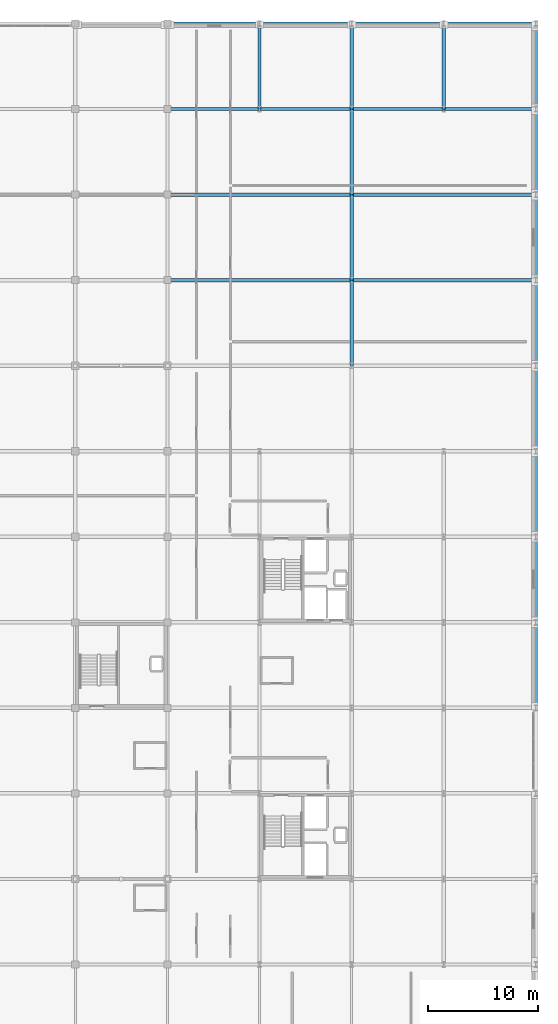
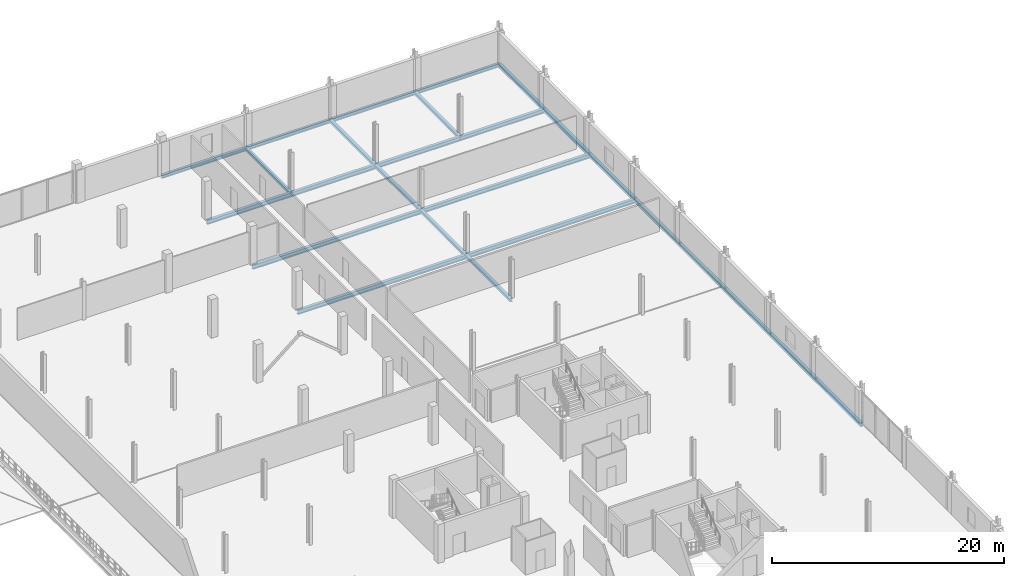
# One storey, part 45 of 77: 26 beams.
"""IFC4 building model written with IfcOpenShell, lengths in metres."""

from ifc_helpers import new_model, si_unit, direction, frame, origin, origin_2d, place, context, subcontext, project, spatial, i_section, extrude, material, material_profile, profile_set, type_object, element, save


model = new_model("IFC4")

# Units and contexts
model_context = context("Model", 3, precision=1e-05, world=origin(), true_north=direction((0.0, 1.0)))
body_context = subcontext(model_context, "Body", "Model", "MODEL_VIEW")
ifc_project = project(units=[si_unit("LENGTHUNIT", "METRE"), si_unit("AREAUNIT", "SQUARE_METRE"), si_unit("VOLUMEUNIT", "CUBIC_METRE"), si_unit("PLANEANGLEUNIT", "RADIAN"), si_unit("MASSUNIT", "GRAM", prefix="KILO")], contexts=[model_context])

# Site, building, storey
site_placement = place(None, origin())
site = spatial("IfcSite", under=ifc_project, at=site_placement, CompositionType="ELEMENT")
building_placement = place(site_placement, origin())
building = spatial("IfcBuilding", under=site, at=building_placement, Name="Nabrawat Pavilion Hospital", CompositionType="ELEMENT")
storey_placement = place(building_placement, frame((0.0, 0.0, 14.85009765625)))
storey = spatial("IfcBuildingStorey", under=building, at=storey_placement, Name="L03", CompositionType="ELEMENT", Elevation=14.85009765625)

# Beams
ifc_material = material(Name="Steel S355", Category="steel")
ifc_material_profile_1 = material_profile(ifc_material, i_section(OverallWidth=0.300048828125, OverallDepth=0.43994140625, WebThickness=0.011474609375, FlangeThickness=0.02099609375, FilletRadius=0.027099609375, at=origin_2d()), Name="HEA 450")
ifc_profile_set_1 = profile_set([ifc_material_profile_1], Name="Steel S355")
beam_type_1 = type_object("IfcBeamType", Name="Mid-Tier Ward Girder HEA 450", PredefinedType="USERDEFINED", material=ifc_profile_set_1)
beam_1_placement = place(storey_placement, frame((159.6201171875, 101.39990234375, -0.460205078125), z_axis=(1.0, 0.0, 0.0), x_axis=(0.0, 1.0, 0.0)))
element("IfcBeam", 1, at=beam_1_placement, inside=storey, type_object=beam_type_1, Name="L03 Primary X Girder 1557", ObjectType="GIRDER", PredefinedType="USERDEFINED", context=body_context, shape_type="SweptSolid", body=[
    extrude(i_section(OverallWidth=0.300048828125, OverallDepth=0.43994140625, WebThickness=0.011474609375, FlangeThickness=0.02099609375, FilletRadius=0.027099609375, at=origin_2d()), origin(), (0.0, 0.0, 1.0), 16.759765625),
])
beam_2_placement = place(storey_placement, frame((176.419921875, 101.39990234375, -0.460205078125), z_axis=(1.0, 0.0, 0.0), x_axis=(0.0, 1.0, 0.0)))
element("IfcBeam", 2, at=beam_2_placement, inside=storey, type_object=beam_type_1, Name="L03 Primary X Girder 1558", ObjectType="GIRDER", PredefinedType="USERDEFINED", context=body_context, shape_type="SweptSolid", body=[
    extrude(i_section(OverallWidth=0.300048828125, OverallDepth=0.43994140625, WebThickness=0.011474609375, FlangeThickness=0.02099609375, FilletRadius=0.027099609375, at=origin_2d()), origin(), (0.0, 0.0, 1.0), 16.760009765625),
])
beam_3_placement = place(storey_placement, frame((159.6201171875, 109.199951171875, -0.460205078125), z_axis=(1.0, 0.0, 0.0), x_axis=(0.0, 1.0, 0.0)))
element("IfcBeam", 3, at=beam_3_placement, inside=storey, type_object=beam_type_1, Name="L03 Primary X Girder 1564", ObjectType="GIRDER", PredefinedType="USERDEFINED", context=body_context, shape_type="SweptSolid", body=[
    extrude(i_section(OverallWidth=0.300048828125, OverallDepth=0.43994140625, WebThickness=0.011474609375, FlangeThickness=0.02099609375, FilletRadius=0.027099609375, at=origin_2d()), origin(), (0.0, 0.0, 1.0), 16.759765625),
])
beam_4_placement = place(storey_placement, frame((176.419921875, 109.199951171875, -0.460205078125), z_axis=(1.0, 0.0, 0.0), x_axis=(0.0, 1.0, 0.0)))
element("IfcBeam", 4, at=beam_4_placement, inside=storey, type_object=beam_type_1, Name="L03 Primary X Girder 1565", ObjectType="GIRDER", PredefinedType="USERDEFINED", context=body_context, shape_type="SweptSolid", body=[
    extrude(i_section(OverallWidth=0.300048828125, OverallDepth=0.43994140625, WebThickness=0.011474609375, FlangeThickness=0.02099609375, FilletRadius=0.027099609375, at=origin_2d()), origin(), (0.0, 0.0, 1.0), 16.760009765625),
])
for number, where, z_axis, x_axis, name in (
    (5, (159.6201171875, 117.0, -0.460205078125), (1.0, 0.0, 0.0), (0.0, 1.0, 0.0), "L03 Primary X Girder 1575"),
    (6, (168.02001953125, 117.0, -0.460205078125), (1.0, 0.0, 0.0), (0.0, 1.0, 0.0), "L03 Primary X Girder 1576"),
):
    element("IfcBeam", number, at=place(storey_placement, frame(where, z_axis=z_axis, x_axis=x_axis)), inside=storey, type_object=beam_type_1, Name=name, ObjectType="GIRDER", PredefinedType="USERDEFINED", context=body_context, shape_type="SweptSolid", body=[
        extrude(i_section(OverallWidth=0.300048828125, OverallDepth=0.43994140625, WebThickness=0.011474609375, FlangeThickness=0.02099609375, FilletRadius=0.027099609375, at=origin_2d()), origin(), (0.0, 0.0, 1.0), 8.35986328125),
    ])
beam_5_placement = place(storey_placement, frame((176.419921875, 117.0, -0.460205078125), z_axis=(1.0, 0.0, 0.0), x_axis=(0.0, 1.0, 0.0)))
element("IfcBeam", 7, at=beam_5_placement, inside=storey, type_object=beam_type_1, Name="L03 Primary X Girder 1577", ObjectType="GIRDER", PredefinedType="USERDEFINED", context=body_context, shape_type="SweptSolid", body=[
    extrude(i_section(OverallWidth=0.300048828125, OverallDepth=0.43994140625, WebThickness=0.011474609375, FlangeThickness=0.02099609375, FilletRadius=0.027099609375, at=origin_2d()), origin(), (0.0, 0.0, 1.0), 8.360107421875),
])
beam_6_placement = place(storey_placement, frame((184.820068359375, 117.0, -0.460205078125), z_axis=(1.0, 0.0, 0.0), x_axis=(0.0, 1.0, 0.0)))
element("IfcBeam", 8, at=beam_6_placement, inside=storey, type_object=beam_type_1, Name="L03 Primary X Girder 1578", ObjectType="GIRDER", PredefinedType="USERDEFINED", context=body_context, shape_type="SweptSolid", body=[
    extrude(i_section(OverallWidth=0.300048828125, OverallDepth=0.43994140625, WebThickness=0.011474609375, FlangeThickness=0.02099609375, FilletRadius=0.027099609375, at=origin_2d()), origin(), (0.0, 0.0, 1.0), 8.35986328125),
])
ifc_material_profile_2 = material_profile(ifc_material, i_section(OverallWidth=0.300048828125, OverallDepth=0.389892578125, WebThickness=0.010986328125, FlangeThickness=0.01904296875, FilletRadius=0.027099609375, at=origin_2d()), Name="HEA 400")
ifc_profile_set_2 = profile_set([ifc_material_profile_2], Name="Steel S355")
beam_type_2 = type_object("IfcBeamType", Name="Perimeter Moment Spandrel Beam HEA 400", PredefinedType="SPANDREL", material=ifc_profile_set_2)
for number, where, z_axis, x_axis, name in (
    (9, (193.199951171875, 62.419921875, -0.43505859375), (0.0, 1.0, 0.0), (-1.0, 0.0, 0.0), "L03 Primary Y Beam 1745"),
    (10, (193.199951171875, 70.219970703125, -0.43505859375), (0.0, 1.0, 0.0), (-1.0, 0.0, 0.0), "L03 Primary Y Beam 1746"),
    (11, (193.199951171875, 78.02001953125, -0.43505859375), (0.0, 1.0, 0.0), (-1.0, 0.0, 0.0), "L03 Primary Y Beam 1747"),
    (12, (193.199951171875, 85.820068359375, -0.43505859375), (0.0, 1.0, 0.0), (-1.0, 0.0, 0.0), "L03 Primary Y Beam 1748"),
):
    element("IfcBeam", number, at=place(storey_placement, frame(where, z_axis=z_axis, x_axis=x_axis)), inside=storey, type_object=beam_type_2, Name=name, PredefinedType="SPANDREL", context=body_context, shape_type="SweptSolid", body=[
        extrude(i_section(OverallWidth=0.300048828125, OverallDepth=0.389892578125, WebThickness=0.010986328125, FlangeThickness=0.01904296875, FilletRadius=0.027099609375, at=origin_2d()), origin(), (0.0, 0.0, 1.0), 7.760009765625),
    ])
beam_7_placement = place(storey_placement, frame((193.199951171875, 93.6201171875, -0.43505859375), z_axis=(0.0, 1.0, 0.0), x_axis=(-1.0, 0.0, 0.0)))
element("IfcBeam", 13, at=beam_7_placement, inside=storey, type_object=beam_type_2, Name="L03 Primary Y Beam 1749", PredefinedType="SPANDREL", context=body_context, shape_type="SweptSolid", body=[
    extrude(i_section(OverallWidth=0.300048828125, OverallDepth=0.389892578125, WebThickness=0.010986328125, FlangeThickness=0.01904296875, FilletRadius=0.027099609375, at=origin_2d()), origin(), (0.0, 0.0, 1.0), 7.759765625),
])
for number, where, z_axis, x_axis, name in (
    (14, (193.199951171875, 101.419921875, -0.43505859375), (0.0, 1.0, 0.0), (-1.0, 0.0, 0.0), "L03 Primary Y Beam 1750"),
    (15, (193.199951171875, 109.219970703125, -0.43505859375), (0.0, 1.0, 0.0), (-1.0, 0.0, 0.0), "L03 Primary Y Beam 1751"),
    (16, (193.199951171875, 117.02001953125, -0.43505859375), (0.0, 1.0, 0.0), (-1.0, 0.0, 0.0), "L03 Primary Y Beam 1752"),
):
    element("IfcBeam", number, at=place(storey_placement, frame(where, z_axis=z_axis, x_axis=x_axis)), inside=storey, type_object=beam_type_2, Name=name, PredefinedType="SPANDREL", context=body_context, shape_type="SweptSolid", body=[
        extrude(i_section(OverallWidth=0.300048828125, OverallDepth=0.389892578125, WebThickness=0.010986328125, FlangeThickness=0.01904296875, FilletRadius=0.027099609375, at=origin_2d()), origin(), (0.0, 0.0, 1.0), 7.760009765625),
    ])
ifc_material_profile_3 = material_profile(ifc_material, i_section(OverallWidth=0.300048828125, OverallDepth=0.340087890625, WebThickness=0.011962890625, FlangeThickness=0.021484375, FilletRadius=0.027099609375, at=origin_2d()), Name="HEB 340")
ifc_profile_set_3 = profile_set([ifc_material_profile_3], Name="Steel S355")
beam_type_3 = type_object("IfcBeamType", Name="Ward Perimeter Spandrel Beam HEB 340", PredefinedType="SPANDREL", material=ifc_profile_set_3)
for number, where, z_axis, x_axis, name in (
    (17, (159.6201171875, 124.800048828125, -0.41015625), (1.0, 0.0, 0.0), (0.0, 1.0, 0.0), "L03 Primary X Girder 1583"),
    (18, (168.02001953125, 124.800048828125, -0.41015625), (1.0, 0.0, 0.0), (0.0, 1.0, 0.0), "L03 Primary X Girder 1584"),
):
    element("IfcBeam", number, at=place(storey_placement, frame(where, z_axis=z_axis, x_axis=x_axis)), inside=storey, type_object=beam_type_3, Name=name, PredefinedType="SPANDREL", context=body_context, shape_type="SweptSolid", body=[
        extrude(i_section(OverallWidth=0.300048828125, OverallDepth=0.340087890625, WebThickness=0.011962890625, FlangeThickness=0.021484375, FilletRadius=0.027099609375, at=origin_2d()), origin(), (0.0, 0.0, 1.0), 8.35986328125),
    ])
beam_8_placement = place(storey_placement, frame((176.419921875, 124.800048828125, -0.41015625), z_axis=(1.0, 0.0, 0.0), x_axis=(0.0, 1.0, 0.0)))
element("IfcBeam", 19, at=beam_8_placement, inside=storey, type_object=beam_type_3, Name="L03 Primary X Girder 1585", PredefinedType="SPANDREL", context=body_context, shape_type="SweptSolid", body=[
    extrude(i_section(OverallWidth=0.300048828125, OverallDepth=0.340087890625, WebThickness=0.011962890625, FlangeThickness=0.021484375, FilletRadius=0.027099609375, at=origin_2d()), origin(), (0.0, 0.0, 1.0), 8.360107421875),
])
beam_9_placement = place(storey_placement, frame((184.820068359375, 124.800048828125, -0.41015625), z_axis=(1.0, 0.0, 0.0), x_axis=(0.0, 1.0, 0.0)))
element("IfcBeam", 20, at=beam_9_placement, inside=storey, type_object=beam_type_3, Name="L03 Primary X Girder 1586", PredefinedType="SPANDREL", context=body_context, shape_type="SweptSolid", body=[
    extrude(i_section(OverallWidth=0.300048828125, OverallDepth=0.340087890625, WebThickness=0.011962890625, FlangeThickness=0.021484375, FilletRadius=0.027099609375, at=origin_2d()), origin(), (0.0, 0.0, 1.0), 8.35986328125),
])
ifc_material_profile_4 = material_profile(ifc_material, i_section(OverallWidth=0.300048828125, OverallDepth=0.31005859375, WebThickness=0.009033203125, FlangeThickness=0.015380859375, FilletRadius=0.027099609375, at=origin_2d()), Name="HEA 320")
ifc_profile_set_4 = profile_set([ifc_material_profile_4], Name="Steel S355")
beam_type_4 = type_object("IfcBeamType", Name="Ward Spine Beam HEA 320", PredefinedType="BEAM", material=ifc_profile_set_4)
beam_10_placement = place(storey_placement, frame((168.0, 117.02001953125, -0.39501953125), z_axis=(0.0, 1.0, 0.0), x_axis=(-1.0, 0.0, 0.0)))
element("IfcBeam", 21, at=beam_10_placement, inside=storey, type_object=beam_type_4, Name="L03 Primary Y Beam 1712", PredefinedType="BEAM", context=body_context, shape_type="SweptSolid", body=[
    extrude(i_section(OverallWidth=0.300048828125, OverallDepth=0.31005859375, WebThickness=0.009033203125, FlangeThickness=0.015380859375, FilletRadius=0.027099609375, at=origin_2d()), origin(), (0.0, 0.0, 1.0), 7.760009765625),
])
beam_11_placement = place(storey_placement, frame((176.39990234375, 93.6201171875, -0.39501953125), z_axis=(0.0, 1.0, 0.0), x_axis=(-1.0, 0.0, 0.0)))
element("IfcBeam", 22, at=beam_11_placement, inside=storey, type_object=beam_type_4, Name="L03 Primary Y Beam 1725", PredefinedType="BEAM", context=body_context, shape_type="SweptSolid", body=[
    extrude(i_section(OverallWidth=0.300048828125, OverallDepth=0.31005859375, WebThickness=0.009033203125, FlangeThickness=0.015380859375, FilletRadius=0.027099609375, at=origin_2d()), origin(), (0.0, 0.0, 1.0), 7.759765625),
])
for number, where, z_axis, x_axis, name in (
    (23, (176.39990234375, 101.419921875, -0.39501953125), (0.0, 1.0, 0.0), (-1.0, 0.0, 0.0), "L03 Primary Y Beam 1726"),
    (24, (176.39990234375, 109.219970703125, -0.39501953125), (0.0, 1.0, 0.0), (-1.0, 0.0, 0.0), "L03 Primary Y Beam 1727"),
    (25, (176.39990234375, 117.02001953125, -0.39501953125), (0.0, 1.0, 0.0), (-1.0, 0.0, 0.0), "L03 Primary Y Beam 1728"),
    (26, (184.800048828125, 117.02001953125, -0.39501953125), (0.0, 1.0, 0.0), (-1.0, 0.0, 0.0), "L03 Primary Y Beam 1736"),
):
    element("IfcBeam", number, at=place(storey_placement, frame(where, z_axis=z_axis, x_axis=x_axis)), inside=storey, type_object=beam_type_4, Name=name, PredefinedType="BEAM", context=body_context, shape_type="SweptSolid", body=[
        extrude(i_section(OverallWidth=0.300048828125, OverallDepth=0.31005859375, WebThickness=0.009033203125, FlangeThickness=0.015380859375, FilletRadius=0.027099609375, at=origin_2d()), origin(), (0.0, 0.0, 1.0), 7.760009765625),
    ])

save(model, "model.ifc")
